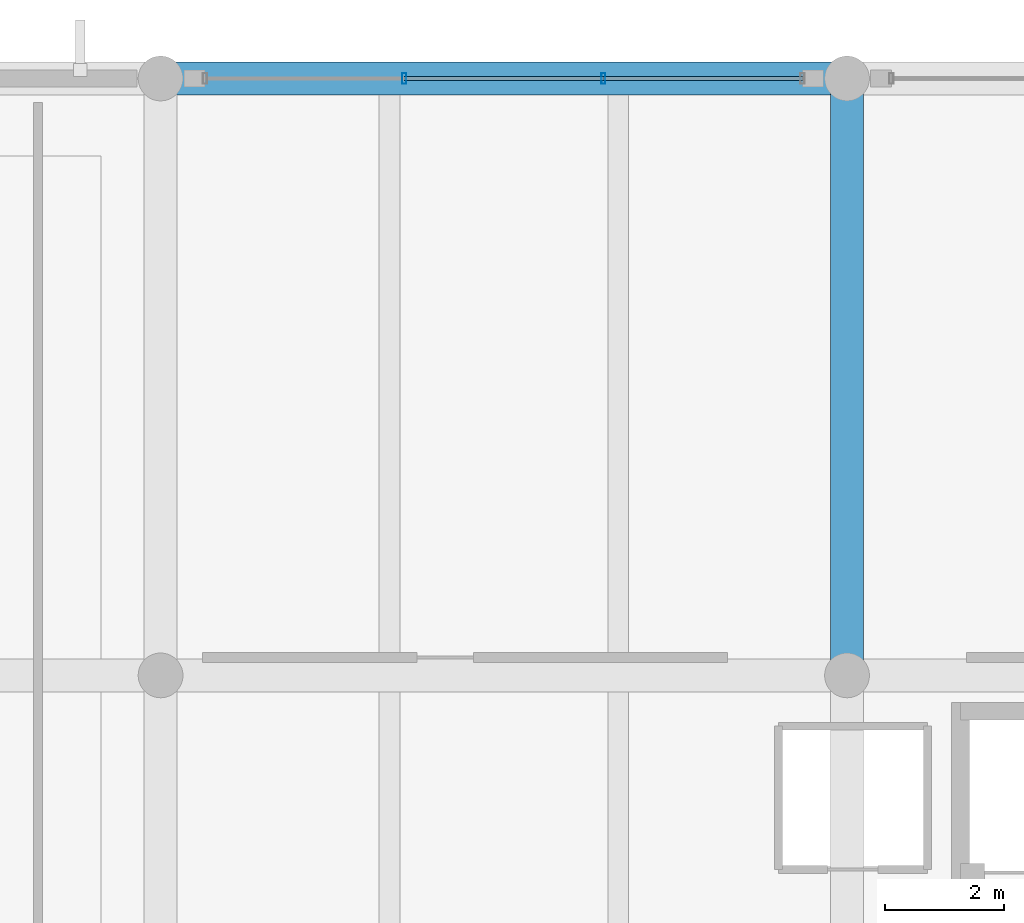
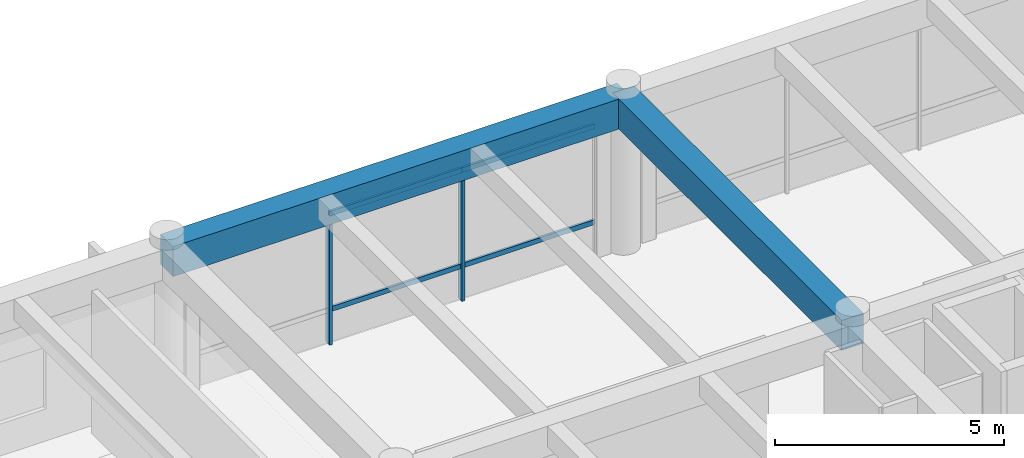
# One storey, part 17 of 27: 6 members, 2 beams, 1 element without a shape of its own.
"""IFC4 building model written with IfcOpenShell, lengths in metres."""

from ifc_helpers import new_model, si_unit, direction, frame, origin, origin_2d, place, context, subcontext, project, spatial, rectangle, hollow_rectangle, extrude, material, material_profile, profile_set, type_object, element, aggregate, save


model = new_model("IFC4")

# Units and contexts
model_context = context("Model", 3, precision=1e-05, world=origin(), true_north=direction((0.0, 1.0)))
body_context = subcontext(model_context, "Body", "Model", "MODEL_VIEW")
ifc_project = project(units=[si_unit("LENGTHUNIT", "METRE"), si_unit("AREAUNIT", "SQUARE_METRE"), si_unit("VOLUMEUNIT", "CUBIC_METRE"), si_unit("PLANEANGLEUNIT", "RADIAN"), si_unit("MASSUNIT", "GRAM", prefix="KILO")], contexts=[model_context])

# Site, building, storey
site_placement = place(None, origin())
site = spatial("IfcSite", under=ifc_project, at=site_placement, CompositionType="ELEMENT")
building_placement = place(site_placement, origin())
building = spatial("IfcBuilding", under=site, at=building_placement, Name="Ologun Quay Terminus", CompositionType="ELEMENT")
storey_placement = place(building_placement, frame((0.0, 0.0, 22.4599609375)))
storey = spatial("IfcBuildingStorey", under=building, at=storey_placement, Name="L05", CompositionType="ELEMENT", Elevation=22.4599609375)

# Beams
ifc_material_1 = material(Name="Concrete C40/50", Category="concrete")
ifc_material_profile_1 = material_profile(ifc_material_1, rectangle(XDim=0.550048828125, YDim=0.800048828125, at=origin_2d()), Name="RC 550x800")
ifc_profile_set_1 = profile_set([ifc_material_profile_1], Name="Concrete C40/50")
beam_type = type_object("IfcBeamType", Name="Courtyard Wing Primary Girder 550x800", PredefinedType="BEAM", material=ifc_profile_set_1)
beam_1_placement = place(storey_placement, frame((126.5, 114.800048828125, 3.760009765625), z_axis=(1.0, 0.0, 0.0), x_axis=(0.0, 1.0, 0.0)))
element("IfcBeam", 1, at=beam_1_placement, inside=storey, type_object=beam_type, Name="B4 Beam 12/K L05", PredefinedType="BEAM", context=body_context, shape_type="SweptSolid", body=[
    extrude(rectangle(XDim=0.550048828125, YDim=0.800048828125, at=origin_2d()), origin(), (0.0, 0.0, 1.0), 11.5),
])
beam_2_placement = place(storey_placement, frame((138.0, 104.800048828125, 3.760009765625), z_axis=(0.0, 1.0, 0.0), x_axis=(-1.0, 0.0, 0.0)))
element("IfcBeam", 2, at=beam_2_placement, inside=storey, type_object=beam_type, Name="B4 Beam 13/J L05", PredefinedType="BEAM", context=body_context, shape_type="SweptSolid", body=[
    extrude(rectangle(XDim=0.550048828125, YDim=0.800048828125, at=origin_2d()), origin(), (0.0, 0.0, 1.0), 10.0),
])

# Curtain wall, members
ifc_material_2 = material(Name="Aluminium 6063-T6", Category="aluminium")
curtain_wall_type = type_object("IfcCurtainWallType", Name="Operations Wing Canteen Curtain Wall L05 10600x4050", PredefinedType="USERDEFINED", material=ifc_material_2)
curtain_wall_placement = place(storey_placement, origin())
curtain_wall = element("IfcCurtainWall", 3, at=curtain_wall_placement, inside=storey, type_object=curtain_wall_type, Name="CW-28 Curtain Wall CW-L05-154", ObjectType="UNITISED CURTAIN WALL", PredefinedType="USERDEFINED")
ifc_material_3 = material(Name="Aluminium 6063-T6", Category="aluminium")
ifc_material_profile_2 = material_profile(ifc_material_3, hollow_rectangle(XDim=0.070068359375, YDim=0.179931640625, WallThickness=0.0048828125, at=origin_2d()), Name="ALU 180x70x5")
ifc_profile_set_2 = profile_set([ifc_material_profile_2], Name="Aluminium 6063-T6")
member_type_1 = type_object("IfcMemberType", Name="Curtain Wall Heavy Mullion 180x70", PredefinedType="MULLION", material=ifc_profile_set_2)
member_1_placement = place(storey_placement, frame((130.581787109375, 114.800048828125, 0.0), z_axis=(0.0, 0.0, 1.0), x_axis=(1.0, 0.0, 0.0)))
member_1 = element("IfcMember", 4, at=member_1_placement, type_object=member_type_1, Name="CW-L05-154 Mullion 2", PredefinedType="MULLION", context=body_context, shape_type="SweptSolid", body=[
    extrude(hollow_rectangle(XDim=0.070068359375, YDim=0.179931640625, WallThickness=0.0048828125, at=origin_2d()), origin(), (0.0, 0.0, 1.0), 4.150146484375),
])
member_2_placement = place(storey_placement, frame((133.918212890625, 114.800048828125, 0.0), z_axis=(0.0, 0.0, 1.0), x_axis=(1.0, 0.0, 0.0)))
member_2 = element("IfcMember", 5, at=member_2_placement, type_object=member_type_1, Name="CW-L05-154 Mullion 3", PredefinedType="MULLION", context=body_context, shape_type="SweptSolid", body=[
    extrude(hollow_rectangle(XDim=0.070068359375, YDim=0.179931640625, WallThickness=0.0048828125, at=origin_2d()), origin(), (0.0, 0.0, 1.0), 4.150146484375),
])
ifc_material_4 = material(Name="Aluminium 6063-T6", Category="aluminium")
ifc_material_profile_3 = material_profile(ifc_material_4, hollow_rectangle(XDim=0.06005859375, YDim=0.1298828125, WallThickness=0.00390625, at=origin_2d()), Name="ALU 130x60x4")
ifc_profile_set_3 = profile_set([ifc_material_profile_3], Name="Aluminium 6063-T6")
member_type_2 = type_object("IfcMemberType", Name="Curtain Wall Heavy Transom 130x60", PredefinedType="USERDEFINED", material=ifc_profile_set_3)
member_3_placement = place(storey_placement, frame((130.581787109375, 114.800048828125, 0.900146484375), z_axis=(1.0, 0.0, 0.0), x_axis=(0.0, 1.0, 0.0)))
member_3 = element("IfcMember", 6, at=member_3_placement, type_object=member_type_2, Name="CW-L05-154 Transom B2-1", ObjectType="TRANSOM", PredefinedType="USERDEFINED", context=body_context, shape_type="SweptSolid", body=[
    extrude(hollow_rectangle(XDim=0.06005859375, YDim=0.1298828125, WallThickness=0.00390625, at=origin_2d()), origin(), (0.0, 0.0, 1.0), 3.33642578125),
])
member_4_placement = place(storey_placement, frame((130.581787109375, 114.800048828125, 3.449951171875), z_axis=(1.0, 0.0, 0.0), x_axis=(0.0, 1.0, 0.0)))
member_4 = element("IfcMember", 7, at=member_4_placement, type_object=member_type_2, Name="CW-L05-154 Transom B2-2", ObjectType="TRANSOM", PredefinedType="USERDEFINED", context=body_context, shape_type="SweptSolid", body=[
    extrude(hollow_rectangle(XDim=0.06005859375, YDim=0.1298828125, WallThickness=0.00390625, at=origin_2d()), origin(), (0.0, 0.0, 1.0), 3.33642578125),
])
member_5_placement = place(storey_placement, frame((133.918212890625, 114.800048828125, 0.900146484375), z_axis=(1.0, 0.0, 0.0), x_axis=(0.0, 1.0, 0.0)))
member_5 = element("IfcMember", 8, at=member_5_placement, type_object=member_type_2, Name="CW-L05-154 Transom B3-1", ObjectType="TRANSOM", PredefinedType="USERDEFINED", context=body_context, shape_type="SweptSolid", body=[
    extrude(hollow_rectangle(XDim=0.06005859375, YDim=0.1298828125, WallThickness=0.00390625, at=origin_2d()), origin(), (0.0, 0.0, 1.0), 3.336669921875),
])
member_6_placement = place(storey_placement, frame((133.918212890625, 114.800048828125, 3.449951171875), z_axis=(1.0, 0.0, 0.0), x_axis=(0.0, 1.0, 0.0)))
member_6 = element("IfcMember", 9, at=member_6_placement, type_object=member_type_2, Name="CW-L05-154 Transom B3-2", ObjectType="TRANSOM", PredefinedType="USERDEFINED", context=body_context, shape_type="SweptSolid", body=[
    extrude(hollow_rectangle(XDim=0.06005859375, YDim=0.1298828125, WallThickness=0.00390625, at=origin_2d()), origin(), (0.0, 0.0, 1.0), 3.336669921875),
])
aggregate(curtain_wall, [member_1, member_2, member_3, member_4, member_5, member_6])

save(model, "model.ifc")
